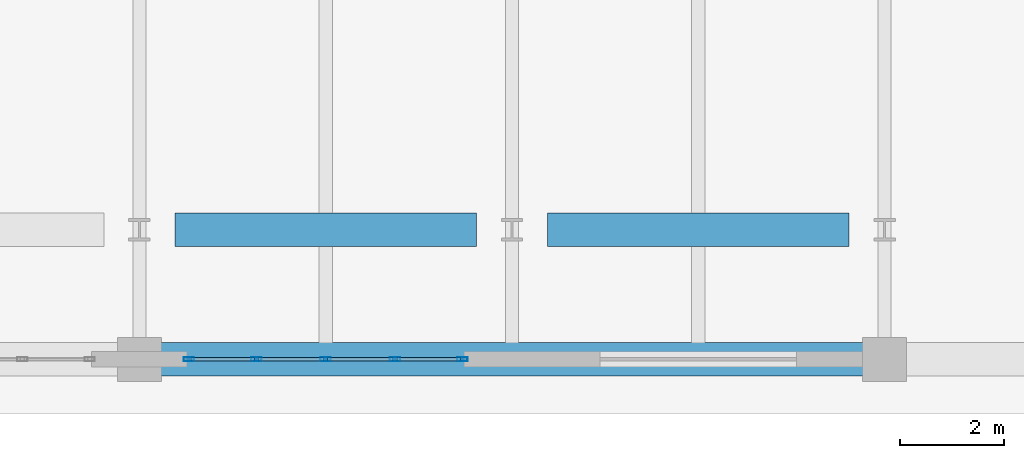
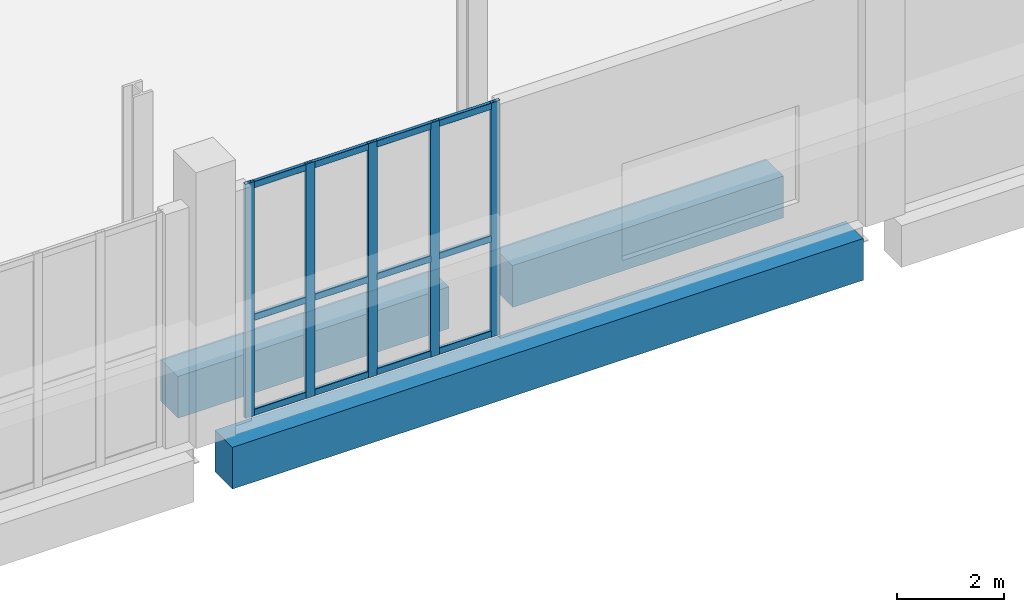
# One storey, part 16 of 29: 17 members, 3 beams, 1 element without a shape of its own.
"""IFC4 building model written with IfcOpenShell, lengths in metres."""

from ifc_helpers import new_model, si_unit, direction, frame, origin, origin_2d, place, context, subcontext, project, spatial, rectangle, hollow_rectangle, extrude, material, layer, layer_set, material_profile, profile_set, type_object, element, aggregate, save


model = new_model("IFC4")

# Units and contexts
model_context = context("Model", 3, precision=1e-05, world=origin(), true_north=direction((0.0, 1.0)))
body_context = subcontext(model_context, "Body", "Model", "MODEL_VIEW")
ifc_project = project(units=[si_unit("LENGTHUNIT", "METRE"), si_unit("AREAUNIT", "SQUARE_METRE"), si_unit("VOLUMEUNIT", "CUBIC_METRE"), si_unit("PLANEANGLEUNIT", "RADIAN"), si_unit("MASSUNIT", "GRAM", prefix="KILO")], contexts=[model_context])

# Site, building, storey
site_placement = place(None, origin())
site = spatial("IfcSite", under=ifc_project, at=site_placement, CompositionType="ELEMENT")
building_placement = place(site_placement, origin())
building = spatial("IfcBuilding", under=site, at=building_placement, Name="Kaelvorn Grand Hotel", CompositionType="ELEMENT")
storey_placement = place(building_placement, frame((0.0, 0.0, 19.39990234375)))
storey = spatial("IfcBuildingStorey", under=building, at=storey_placement, Name="L03", CompositionType="ELEMENT", Elevation=19.39990234375)

# Beams
ifc_material_1 = material(Name="Concrete C60/75", Category="concrete")
ifc_material_profile_1 = material_profile(ifc_material_1, rectangle(XDim=0.64990234375, YDim=0.949951171875, at=origin_2d()), Name="RC SPANDREL 650x950")
ifc_profile_set_1 = profile_set([ifc_material_profile_1], Name="Concrete C60/75")
beam_type = type_object("IfcBeamType", Name="BM-SP-650x950-C60", PredefinedType="SPANDREL", material=ifc_profile_set_1)
beam_1_placement = place(storey_placement, frame((61.010009765625, -2.5, -0.794921875), z_axis=(1.0, 0.0, 0.0), x_axis=(0.0, 1.0, 0.0)))
element("IfcBeam", 1, at=beam_1_placement, inside=storey, type_object=beam_type, Name="L03 South Perimeter Spandrel 06", PredefinedType="SPANDREL", context=body_context, shape_type="SweptSolid", body=[
    extrude(rectangle(XDim=0.64990234375, YDim=0.949951171875, at=origin_2d()), origin(), (0.0, 0.0, 1.0), 13.580078125),
])
beam_2_placement = place(storey_placement, frame((61.284912109375, 0.0, -0.794921875), z_axis=(1.0, 0.0, 0.0), x_axis=(0.0, 1.0, 0.0)))
element("IfcBeam", 2, at=beam_2_placement, inside=storey, type_object=beam_type, Name="L03 Tower Line South Girder 08", PredefinedType="SPANDREL", context=body_context, shape_type="SweptSolid", body=[
    extrude(rectangle(XDim=0.64990234375, YDim=0.949951171875, at=origin_2d()), origin(), (0.0, 0.0, 1.0), 5.830078125),
])
beam_3_placement = place(storey_placement, frame((68.485107421875, 0.0, -0.794921875), z_axis=(1.0, 0.0, 0.0), x_axis=(0.0, 1.0, 0.0)))
element("IfcBeam", 3, at=beam_3_placement, inside=storey, type_object=beam_type, Name="L03 Tower Line South Girder 09", PredefinedType="SPANDREL", context=body_context, shape_type="SweptSolid", body=[
    extrude(rectangle(XDim=0.64990234375, YDim=0.949951171875, at=origin_2d()), origin(), (0.0, 0.0, 1.0), 5.829833984375),
])

# Curtain wall, members
ifc_material_2 = material(Name="Anodised Aluminium", Category="aluminium")
ifc_layer = layer(ifc_material_2, 0.199951171875)
ifc_layer_set = layer_set([ifc_layer], Name="Anodised Aluminium")
curtain_wall_type = type_object("IfcCurtainWallType", Name="CW-SYS2", PredefinedType="NOTDEFINED", material=ifc_layer_set)
curtain_wall_placement = place(storey_placement, origin())
curtain_wall = element("IfcCurtainWall", 4, at=curtain_wall_placement, inside=storey, type_object=curtain_wall_type, Name="L03 Unitised Curtain Wall CW2 (CW-L03-S-07)", PredefinedType="NOTDEFINED")
ifc_material_profile_2 = material_profile(ifc_material_2, hollow_rectangle(XDim=0.074951171875, YDim=0.199951171875, WallThickness=0.00390625, InnerFilletRadius=0.00390625, OuterFilletRadius=0.008056640625, at=origin_2d()), Name="ALU MULL 75x200")
ifc_profile_set_2 = profile_set([ifc_material_profile_2], Name="Anodised Aluminium")
member_type_1 = type_object("IfcMemberType", Name="CW-SYS2-MULL", PredefinedType="MULLION", material=ifc_profile_set_2)
member_1_placement = place(storey_placement, frame((61.5576171875, -2.5, 0.0), z_axis=(0.0, 0.0, 1.0), x_axis=(0.0, 1.0, 0.0)))
member_1 = element("IfcMember", 5, at=member_1_placement, type_object=member_type_1, Name="CW2 mullion 1", PredefinedType="MULLION", context=body_context, shape_type="SweptSolid", body=[
    extrude(hollow_rectangle(XDim=0.074951171875, YDim=0.199951171875, WallThickness=0.00390625, InnerFilletRadius=0.00390625, OuterFilletRadius=0.008056640625, at=origin_2d()), origin(), (0.0, 0.0, 1.0), 5.330078125),
])
member_2_placement = place(storey_placement, frame((62.860107421875, -2.5, 0.0), z_axis=(0.0, 0.0, 1.0), x_axis=(0.0, 1.0, 0.0)))
member_2 = element("IfcMember", 6, at=member_2_placement, type_object=member_type_1, Name="CW2 mullion 2", PredefinedType="MULLION", context=body_context, shape_type="SweptSolid", body=[
    extrude(hollow_rectangle(XDim=0.074951171875, YDim=0.199951171875, WallThickness=0.00390625, InnerFilletRadius=0.00390625, OuterFilletRadius=0.008056640625, at=origin_2d()), origin(), (0.0, 0.0, 1.0), 5.330078125),
])
member_3_placement = place(storey_placement, frame((64.199951171875, -2.5, 0.0), z_axis=(0.0, 0.0, 1.0), x_axis=(0.0, 1.0, 0.0)))
member_3 = element("IfcMember", 7, at=member_3_placement, type_object=member_type_1, Name="CW2 mullion 3", PredefinedType="MULLION", context=body_context, shape_type="SweptSolid", body=[
    extrude(hollow_rectangle(XDim=0.074951171875, YDim=0.199951171875, WallThickness=0.00390625, InnerFilletRadius=0.00390625, OuterFilletRadius=0.008056640625, at=origin_2d()), origin(), (0.0, 0.0, 1.0), 5.330078125),
])
member_4_placement = place(storey_placement, frame((65.5400390625, -2.5, 0.0), z_axis=(0.0, 0.0, 1.0), x_axis=(0.0, 1.0, 0.0)))
member_4 = element("IfcMember", 8, at=member_4_placement, type_object=member_type_1, Name="CW2 mullion 4", PredefinedType="MULLION", context=body_context, shape_type="SweptSolid", body=[
    extrude(hollow_rectangle(XDim=0.074951171875, YDim=0.199951171875, WallThickness=0.00390625, InnerFilletRadius=0.00390625, OuterFilletRadius=0.008056640625, at=origin_2d()), origin(), (0.0, 0.0, 1.0), 5.330078125),
])
member_5_placement = place(storey_placement, frame((66.842529296875, -2.5, 0.0), z_axis=(0.0, 0.0, 1.0), x_axis=(0.0, 1.0, 0.0)))
member_5 = element("IfcMember", 9, at=member_5_placement, type_object=member_type_1, Name="CW2 mullion 5", PredefinedType="MULLION", context=body_context, shape_type="SweptSolid", body=[
    extrude(hollow_rectangle(XDim=0.074951171875, YDim=0.199951171875, WallThickness=0.00390625, InnerFilletRadius=0.00390625, OuterFilletRadius=0.008056640625, at=origin_2d()), origin(), (0.0, 0.0, 1.0), 5.330078125),
])
ifc_material_profile_3 = material_profile(ifc_material_2, hollow_rectangle(XDim=0.074951171875, YDim=0.14990234375, WallThickness=0.00390625, InnerFilletRadius=0.00390625, OuterFilletRadius=0.008056640625, at=origin_2d()), Name="ALU TRAN 75x150")
ifc_profile_set_3 = profile_set([ifc_material_profile_3], Name="Anodised Aluminium")
member_type_2 = type_object("IfcMemberType", Name="CW-SYS2-TRAN", PredefinedType="NOTDEFINED", material=ifc_profile_set_3)
member_6_placement = place(storey_placement, frame((61.594970703125, -2.5, 0.0751953125), z_axis=(1.0, 0.0, 0.0), x_axis=(0.0, 1.0, 0.0)))
member_6 = element("IfcMember", 10, at=member_6_placement, type_object=member_type_2, Name="CW2 transom 1.1", ObjectType="TRANSOM", PredefinedType="USERDEFINED", context=body_context, shape_type="SweptSolid", body=[
    extrude(hollow_rectangle(XDim=0.074951171875, YDim=0.14990234375, WallThickness=0.00390625, InnerFilletRadius=0.00390625, OuterFilletRadius=0.008056640625, at=origin_2d()), origin(), (0.0, 0.0, 1.0), 1.2275390625),
])
member_7_placement = place(storey_placement, frame((61.594970703125, -2.5, 2.23876953125), z_axis=(1.0, 0.0, 0.0), x_axis=(0.0, 1.0, 0.0)))
member_7 = element("IfcMember", 11, at=member_7_placement, type_object=member_type_2, Name="CW2 transom 1.2", ObjectType="TRANSOM", PredefinedType="USERDEFINED", context=body_context, shape_type="SweptSolid", body=[
    extrude(hollow_rectangle(XDim=0.074951171875, YDim=0.14990234375, WallThickness=0.00390625, InnerFilletRadius=0.00390625, OuterFilletRadius=0.008056640625, at=origin_2d()), origin(), (0.0, 0.0, 1.0), 1.2275390625),
])
member_8_placement = place(storey_placement, frame((61.594970703125, -2.5, 5.255126953125), z_axis=(1.0, 0.0, 0.0), x_axis=(0.0, 1.0, 0.0)))
member_8 = element("IfcMember", 12, at=member_8_placement, type_object=member_type_2, Name="CW2 transom 1.3", ObjectType="TRANSOM", PredefinedType="USERDEFINED", context=body_context, shape_type="SweptSolid", body=[
    extrude(hollow_rectangle(XDim=0.074951171875, YDim=0.14990234375, WallThickness=0.00390625, InnerFilletRadius=0.00390625, OuterFilletRadius=0.008056640625, at=origin_2d()), origin(), (0.0, 0.0, 1.0), 1.2275390625),
])
member_9_placement = place(storey_placement, frame((62.8974609375, -2.5, 0.0751953125), z_axis=(1.0, 0.0, 0.0), x_axis=(0.0, 1.0, 0.0)))
member_9 = element("IfcMember", 13, at=member_9_placement, type_object=member_type_2, Name="CW2 transom 2.1", ObjectType="TRANSOM", PredefinedType="USERDEFINED", context=body_context, shape_type="SweptSolid", body=[
    extrude(hollow_rectangle(XDim=0.074951171875, YDim=0.14990234375, WallThickness=0.00390625, InnerFilletRadius=0.00390625, OuterFilletRadius=0.008056640625, at=origin_2d()), origin(), (0.0, 0.0, 1.0), 1.26513671875),
])
member_10_placement = place(storey_placement, frame((62.8974609375, -2.5, 2.23876953125), z_axis=(1.0, 0.0, 0.0), x_axis=(0.0, 1.0, 0.0)))
member_10 = element("IfcMember", 14, at=member_10_placement, type_object=member_type_2, Name="CW2 transom 2.2", ObjectType="TRANSOM", PredefinedType="USERDEFINED", context=body_context, shape_type="SweptSolid", body=[
    extrude(hollow_rectangle(XDim=0.074951171875, YDim=0.14990234375, WallThickness=0.00390625, InnerFilletRadius=0.00390625, OuterFilletRadius=0.008056640625, at=origin_2d()), origin(), (0.0, 0.0, 1.0), 1.26513671875),
])
member_11_placement = place(storey_placement, frame((62.8974609375, -2.5, 5.255126953125), z_axis=(1.0, 0.0, 0.0), x_axis=(0.0, 1.0, 0.0)))
member_11 = element("IfcMember", 15, at=member_11_placement, type_object=member_type_2, Name="CW2 transom 2.3", ObjectType="TRANSOM", PredefinedType="USERDEFINED", context=body_context, shape_type="SweptSolid", body=[
    extrude(hollow_rectangle(XDim=0.074951171875, YDim=0.14990234375, WallThickness=0.00390625, InnerFilletRadius=0.00390625, OuterFilletRadius=0.008056640625, at=origin_2d()), origin(), (0.0, 0.0, 1.0), 1.26513671875),
])
member_12_placement = place(storey_placement, frame((64.237548828125, -2.5, 0.0751953125), z_axis=(1.0, 0.0, 0.0), x_axis=(0.0, 1.0, 0.0)))
member_12 = element("IfcMember", 16, at=member_12_placement, type_object=member_type_2, Name="CW2 transom 3.1", ObjectType="TRANSOM", PredefinedType="USERDEFINED", context=body_context, shape_type="SweptSolid", body=[
    extrude(hollow_rectangle(XDim=0.074951171875, YDim=0.14990234375, WallThickness=0.00390625, InnerFilletRadius=0.00390625, OuterFilletRadius=0.008056640625, at=origin_2d()), origin(), (0.0, 0.0, 1.0), 1.264892578125),
])
member_13_placement = place(storey_placement, frame((64.237548828125, -2.5, 2.23876953125), z_axis=(1.0, 0.0, 0.0), x_axis=(0.0, 1.0, 0.0)))
member_13 = element("IfcMember", 17, at=member_13_placement, type_object=member_type_2, Name="CW2 transom 3.2", ObjectType="TRANSOM", PredefinedType="USERDEFINED", context=body_context, shape_type="SweptSolid", body=[
    extrude(hollow_rectangle(XDim=0.074951171875, YDim=0.14990234375, WallThickness=0.00390625, InnerFilletRadius=0.00390625, OuterFilletRadius=0.008056640625, at=origin_2d()), origin(), (0.0, 0.0, 1.0), 1.264892578125),
])
member_14_placement = place(storey_placement, frame((64.237548828125, -2.5, 5.255126953125), z_axis=(1.0, 0.0, 0.0), x_axis=(0.0, 1.0, 0.0)))
member_14 = element("IfcMember", 18, at=member_14_placement, type_object=member_type_2, Name="CW2 transom 3.3", ObjectType="TRANSOM", PredefinedType="USERDEFINED", context=body_context, shape_type="SweptSolid", body=[
    extrude(hollow_rectangle(XDim=0.074951171875, YDim=0.14990234375, WallThickness=0.00390625, InnerFilletRadius=0.00390625, OuterFilletRadius=0.008056640625, at=origin_2d()), origin(), (0.0, 0.0, 1.0), 1.264892578125),
])
member_15_placement = place(storey_placement, frame((65.577392578125, -2.5, 0.0751953125), z_axis=(1.0, 0.0, 0.0), x_axis=(0.0, 1.0, 0.0)))
member_15 = element("IfcMember", 19, at=member_15_placement, type_object=member_type_2, Name="CW2 transom 4.1", ObjectType="TRANSOM", PredefinedType="USERDEFINED", context=body_context, shape_type="SweptSolid", body=[
    extrude(hollow_rectangle(XDim=0.074951171875, YDim=0.14990234375, WallThickness=0.00390625, InnerFilletRadius=0.00390625, OuterFilletRadius=0.008056640625, at=origin_2d()), origin(), (0.0, 0.0, 1.0), 1.2275390625),
])
member_16_placement = place(storey_placement, frame((65.577392578125, -2.5, 2.23876953125), z_axis=(1.0, 0.0, 0.0), x_axis=(0.0, 1.0, 0.0)))
member_16 = element("IfcMember", 20, at=member_16_placement, type_object=member_type_2, Name="CW2 transom 4.2", ObjectType="TRANSOM", PredefinedType="USERDEFINED", context=body_context, shape_type="SweptSolid", body=[
    extrude(hollow_rectangle(XDim=0.074951171875, YDim=0.14990234375, WallThickness=0.00390625, InnerFilletRadius=0.00390625, OuterFilletRadius=0.008056640625, at=origin_2d()), origin(), (0.0, 0.0, 1.0), 1.2275390625),
])
member_17_placement = place(storey_placement, frame((65.577392578125, -2.5, 5.255126953125), z_axis=(1.0, 0.0, 0.0), x_axis=(0.0, 1.0, 0.0)))
member_17 = element("IfcMember", 21, at=member_17_placement, type_object=member_type_2, Name="CW2 transom 4.3", ObjectType="TRANSOM", PredefinedType="USERDEFINED", context=body_context, shape_type="SweptSolid", body=[
    extrude(hollow_rectangle(XDim=0.074951171875, YDim=0.14990234375, WallThickness=0.00390625, InnerFilletRadius=0.00390625, OuterFilletRadius=0.008056640625, at=origin_2d()), origin(), (0.0, 0.0, 1.0), 1.2275390625),
])
aggregate(curtain_wall, [member_1, member_2, member_3, member_4, member_5, member_6, member_7, member_8, member_9, member_10, member_11, member_12, member_13, member_14, member_15, member_16, member_17])

save(model, "model.ifc")
